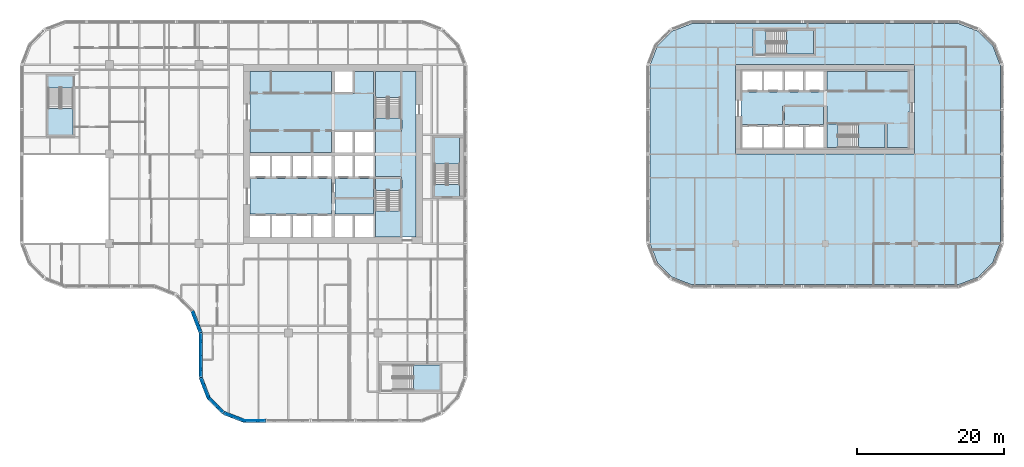
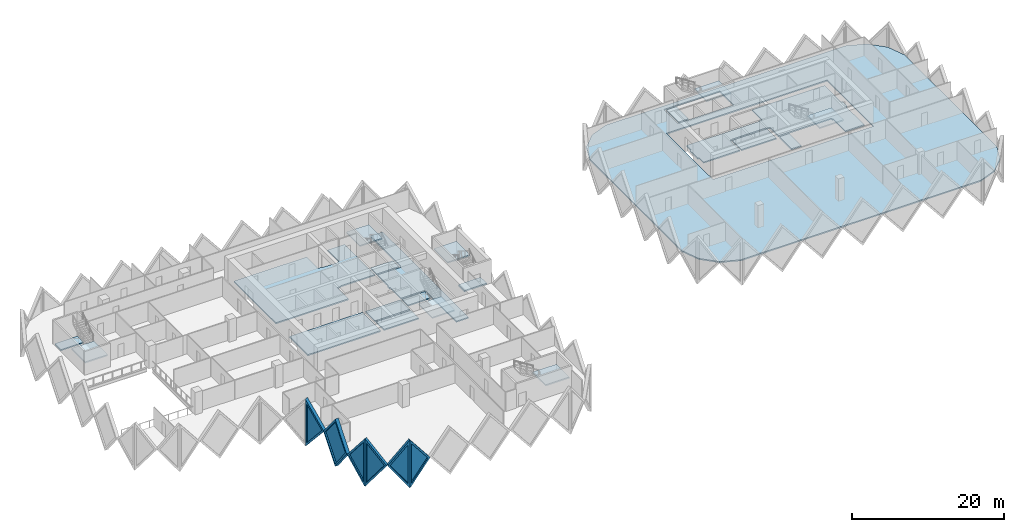
# One storey, part 3 of 18: 21 slabs, 6 plates, 6 walls, 6 openings, 7 elements without a shape of their own.
"""IFC4 building model written with IfcOpenShell, lengths in metres."""

from ifc_helpers import new_model, si_unit, direction, frame, origin, place, context, subcontext, project, spatial, polyline, outline, extrude, faceted_brep, source, transform, mapped, material, layer, layer_set, type_object, element, fill, aggregate, save


model = new_model("IFC4")

# Units and contexts
model_context = context("Model", 3, precision=1e-05, world=origin(), true_north=direction((0.0, 1.0)))
body_context = subcontext(model_context, "Body", "Model", "MODEL_VIEW")
ifc_project = project(units=[si_unit("LENGTHUNIT", "METRE"), si_unit("AREAUNIT", "SQUARE_METRE"), si_unit("VOLUMEUNIT", "CUBIC_METRE"), si_unit("PLANEANGLEUNIT", "RADIAN"), si_unit("MASSUNIT", "GRAM", prefix="KILO")], contexts=[model_context])

# Site, building, storey
site_placement = place(None, origin())
site = spatial("IfcSite", under=ifc_project, at=site_placement, CompositionType="ELEMENT")
building_placement = place(site_placement, origin())
building = spatial("IfcBuilding", under=site, at=building_placement, Name="Tessera Gate Towers", CompositionType="ELEMENT")
storey_placement = place(building_placement, frame((0.0, 0.0, 41.0)))
storey = spatial("IfcBuildingStorey", under=building, at=storey_placement, Name="L09", CompositionType="ELEMENT", Elevation=41.0)

# Slabs
ifc_material_1 = material(Name="Concrete C35/45", Category="concrete")
ifc_layer_1 = layer(ifc_material_1, 0.199951171875)
ifc_layer_set_1 = layer_set([ifc_layer_1], Name="COMPOSITE FLOOR 200")
slab_type_1 = type_object("IfcSlabType", Name="COMPOSITE FLOOR 200", PredefinedType="FLOOR", material=ifc_layer_set_1)
slab_1_placement = place(storey_placement, frame((0.0, 0.0, -0.199951171875)))
element("IfcSlab", 1, at=slab_1_placement, inside=storey, type_object=slab_type_1, Name="T2-L09", PredefinedType="FLOOR", context=body_context, shape_type="SweptSolid", body=[
    extrude(outline(polyline([(85.89990234375, 24.4931640625), (86.926025390625, 21.8330078125), (88.93310546875, 19.826171875), (91.593017578125, 18.800048828125), (128.0068359375, 18.800048828125), (130.6669921875, 19.826171875), (132.673828125, 21.8330078125), (133.699951171875, 24.4931640625), (133.699951171875, 48.706787109375), (132.673828125, 51.366943359375), (130.6669921875, 53.373779296875), (128.0068359375, 54.39990234375), (91.593017578125, 54.39990234375), (88.93310546875, 53.373779296875), (86.926025390625, 51.366943359375), (85.89990234375, 48.706787109375), (85.89990234375, 24.4931640625)]), holes=[polyline([(97.60009765625, 36.60009765625), (97.60009765625, 48.800048828125), (122.0, 48.800048828125), (122.0, 36.60009765625), (97.60009765625, 36.60009765625)]), polyline([(100.0, 50.0), (100.0, 53.699951171875), (108.5, 53.699951171875), (108.5, 50.0), (100.0, 50.0)])]), origin(), (0.0, 0.0, 1.0), 0.199951171875),
])
ifc_material_2 = material(Name="Concrete C35/45", Category="concrete")
ifc_layer_2 = layer(ifc_material_2, 0.199951171875)
ifc_layer_set_2 = layer_set([ifc_layer_2], Name="CORE FLOOR SLAB 200")
slab_type_2 = type_object("IfcSlabType", Name="CORE FLOOR SLAB 200", PredefinedType="FLOOR", material=ifc_layer_set_2)
slab_2_placement = place(storey_placement, frame((0.0, 0.0, -0.199951171875)))
element("IfcSlab", 2, at=slab_2_placement, inside=storey, type_object=slab_type_2, Name="L09 core floor slab", PredefinedType="FLOOR", context=body_context, shape_type="SweptSolid", body=[
    extrude(outline(polyline([(31.39990234375, 47.89990234375), (31.39990234375, 36.85009765625), (42.449951171875, 36.85009765625), (42.449951171875, 39.800048828125), (42.949951171875, 39.800048828125), (42.949951171875, 39.925048828125), (48.22509765625, 39.925048828125), (48.22509765625, 47.89990234375), (45.64990234375, 47.89990234375), (45.64990234375, 44.89990234375), (45.39990234375, 44.89990234375), (45.39990234375, 44.77490234375), (42.949951171875, 44.77490234375), (42.949951171875, 44.89990234375), (42.449951171875, 44.89990234375), (42.449951171875, 47.89990234375), (31.39990234375, 47.89990234375)])), origin(), (0.0, 0.0, 1.0), 0.199951171875),
])
slab_3_placement = place(storey_placement, frame((0.0, 0.0, -0.199951171875)))
element("IfcSlab", 3, at=slab_3_placement, inside=storey, type_object=slab_type_2, Name="L09 core floor slab", PredefinedType="FLOOR", context=body_context, shape_type="SweptSolid", body=[
    extrude(outline(polyline([(48.35009765625, 36.85009765625), (48.35009765625, 36.35009765625), (48.47509765625, 36.35009765625), (48.47509765625, 33.52490234375), (52.0, 33.52490234375), (52.0, 33.27490234375), (52.125, 33.27490234375), (52.125, 25.300048828125), (54.0, 25.300048828125), (54.0, 47.89990234375), (52.125, 47.89990234375), (52.125, 39.925048828125), (52.0, 39.925048828125), (52.0, 39.675048828125), (48.47509765625, 39.675048828125), (48.47509765625, 36.85009765625), (48.35009765625, 36.85009765625)])), origin(), (0.0, 0.0, 1.0), 0.199951171875),
])
slab_4_placement = place(storey_placement, frame((0.0, 0.0, -0.199951171875)))
element("IfcSlab", 4, at=slab_4_placement, inside=storey, type_object=slab_type_2, Name="L09 core floor slab", PredefinedType="FLOOR", context=body_context, shape_type="SweptSolid", body=[
    extrude(outline(polyline([(42.449951171875, 28.425048828125), (42.449951171875, 33.27490234375), (31.39990234375, 33.27490234375), (31.39990234375, 28.425048828125), (42.449951171875, 28.425048828125)])), origin(), (0.0, 0.0, 1.0), 0.199951171875),
])
slab_5_placement = place(storey_placement, frame((0.0, 0.0, -0.199951171875)))
element("IfcSlab", 5, at=slab_5_placement, inside=storey, type_object=slab_type_2, Name="L09 core floor slab", PredefinedType="FLOOR", context=body_context, shape_type="SweptSolid", body=[
    extrude(outline(polyline([(42.949951171875, 33.27490234375), (42.949951171875, 30.72509765625), (48.22509765625, 30.72509765625), (48.22509765625, 33.27490234375), (42.949951171875, 33.27490234375)])), origin(), (0.0, 0.0, 1.0), 0.199951171875),
])
slab_6_placement = place(storey_placement, frame((0.0, 0.0, -0.199951171875)))
element("IfcSlab", 6, at=slab_6_placement, inside=storey, type_object=slab_type_2, Name="L09 core floor slab", PredefinedType="FLOOR", context=body_context, shape_type="SweptSolid", body=[
    extrude(outline(polyline([(42.949951171875, 30.47509765625), (42.949951171875, 28.425048828125), (48.22509765625, 28.425048828125), (48.22509765625, 30.47509765625), (42.949951171875, 30.47509765625)])), origin(), (0.0, 0.0, 1.0), 0.199951171875),
])
slab_7_placement = place(storey_placement, frame((0.0, 0.0, -0.199951171875)))
element("IfcSlab", 7, at=slab_7_placement, inside=storey, type_object=slab_type_2, Name="L09 core floor slab", PredefinedType="FLOOR", context=body_context, shape_type="SweptSolid", body=[
    extrude(outline(polyline([(51.875, 31.675048828125), (51.875, 33.27490234375), (48.47509765625, 33.27490234375), (48.47509765625, 31.675048828125), (51.875, 31.675048828125)])), origin(), (0.0, 0.0, 1.0), 0.199951171875),
])
slab_8_placement = place(storey_placement, frame((0.0, 0.0, -0.199951171875)))
element("IfcSlab", 8, at=slab_8_placement, inside=storey, type_object=slab_type_2, Name="L09 core floor slab", PredefinedType="FLOOR", context=body_context, shape_type="SweptSolid", body=[
    extrude(outline(polyline([(48.47509765625, 41.52490234375), (48.47509765625, 39.925048828125), (51.875, 39.925048828125), (51.875, 41.52490234375), (48.47509765625, 41.52490234375)])), origin(), (0.0, 0.0, 1.0), 0.199951171875),
])
slab_9_placement = place(storey_placement, frame((0.0, 0.0, -0.199951171875)))
element("IfcSlab", 9, at=slab_9_placement, inside=storey, type_object=slab_type_2, Name="L09 ST3 floor landing", PredefinedType="FLOOR", context=body_context, shape_type="SweptSolid", body=[
    extrude(outline(polyline([(3.85009765625, 47.25), (3.85009765625, 45.64990234375), (7.25, 45.64990234375), (7.25, 47.25), (3.85009765625, 47.25)])), origin(), (0.0, 0.0, 1.0), 0.199951171875),
])
slab_10_placement = place(storey_placement, frame((0.0, 0.0, -0.199951171875)))
element("IfcSlab", 10, at=slab_10_placement, inside=storey, type_object=slab_type_2, Name="L09 ST5 floor landing", PredefinedType="FLOOR", context=body_context, shape_type="SweptSolid", body=[
    extrude(outline(polyline([(59.949951171875, 30.85009765625), (59.949951171875, 32.449951171875), (56.550048828125, 32.449951171875), (56.550048828125, 30.85009765625), (59.949951171875, 30.85009765625)])), origin(), (0.0, 0.0, 1.0), 0.199951171875),
])
slab_11_placement = place(storey_placement, frame((0.0, 0.0, -0.199951171875)))
element("IfcSlab", 11, at=slab_11_placement, inside=storey, type_object=slab_type_2, Name="L09 core floor slab", PredefinedType="FLOOR", context=body_context, shape_type="SweptSolid", body=[
    extrude(outline(polyline([(109.550048828125, 45.199951171875), (109.550048828125, 45.074951171875), (98.5, 45.074951171875), (98.5, 43.89990234375), (98.300048828125, 43.89990234375), (98.300048828125, 41.800048828125), (98.5, 41.800048828125), (98.5, 40.625), (104.02490234375, 40.625), (104.02490234375, 43.199951171875), (104.27490234375, 43.199951171875), (104.27490234375, 43.324951171875), (109.550048828125, 43.324951171875), (109.550048828125, 43.199951171875), (110.050048828125, 43.199951171875), (110.050048828125, 40.949951171875), (118.10009765625, 40.949951171875), (118.10009765625, 40.699951171875), (118.22509765625, 40.699951171875), (118.22509765625, 37.5), (121.10009765625, 37.5), (121.10009765625, 42.35009765625), (121.300048828125, 42.35009765625), (121.300048828125, 43.550048828125), (121.10009765625, 43.550048828125), (121.10009765625, 47.89990234375), (110.050048828125, 47.89990234375), (110.050048828125, 45.199951171875), (109.550048828125, 45.199951171875)])), origin(), (0.0, 0.0, 1.0), 0.199951171875),
])
slab_12_placement = place(storey_placement, frame((0.0, 0.0, -0.199951171875)))
element("IfcSlab", 12, at=slab_12_placement, inside=storey, type_object=slab_type_2, Name="L09 core floor slab", PredefinedType="FLOOR", context=body_context, shape_type="SweptSolid", body=[
    extrude(outline(polyline([(109.550048828125, 43.074951171875), (104.27490234375, 43.074951171875), (104.27490234375, 40.625), (109.550048828125, 40.625), (109.550048828125, 43.074951171875)])), origin(), (0.0, 0.0, 1.0), 0.199951171875),
])
slab_13_placement = place(storey_placement, frame((0.0, 0.0, -0.199951171875)))
element("IfcSlab", 13, at=slab_13_placement, inside=storey, type_object=slab_type_2, Name="L09 core floor slab", PredefinedType="FLOOR", context=body_context, shape_type="SweptSolid", body=[
    extrude(outline(polyline([(111.550048828125, 37.5), (111.550048828125, 40.699951171875), (110.050048828125, 40.699951171875), (110.050048828125, 37.5), (111.550048828125, 37.5)])), origin(), (0.0, 0.0, 1.0), 0.199951171875),
])
slab_14_placement = place(storey_placement, frame((0.0, 0.0, -0.199951171875)))
element("IfcSlab", 14, at=slab_14_placement, inside=storey, type_object=slab_type_2, Name="L09 ST7 floor landing", PredefinedType="FLOOR", context=body_context, shape_type="SweptSolid", body=[
    extrude(outline(polyline([(100.25, 50.25), (101.75, 50.25), (101.75, 53.449951171875), (100.25, 53.449951171875), (100.25, 50.25)])), origin(), (0.0, 0.0, 1.0), 0.199951171875),
])

# Stair, slab
ifc_material_3 = material(Name="Concrete C40/50", Category="concrete")
stair_type_1 = type_object("IfcStairType", Name="EXIT STAIR ST1 1600", PredefinedType="HALF_TURN_STAIR", material=ifc_material_3)
stair_1_placement = place(storey_placement, origin())
stair_1 = element("IfcStair", 15, at=stair_1_placement, inside=storey, type_object=stair_type_1, Name="L09 Protected Exit Stair ST1", PredefinedType="HALF_TURN_STAIR")
ifc_material_4 = material(Name="Concrete C40/50", Category="concrete")
ifc_layer_3 = layer(ifc_material_4, 0.199951171875)
ifc_layer_set_3 = layer_set([ifc_layer_3], Name="EXIT STAIR LANDING 200")
slab_type_3 = type_object("IfcSlabType", Name="EXIT STAIR LANDING 200", PredefinedType="LANDING", material=ifc_layer_set_3)
slab_15_placement = place(storey_placement, frame((0.0, 0.0, 1.699951171875)))
slab_15 = element("IfcSlab", 16, at=slab_15_placement, type_object=slab_type_3, Name="ST1 landing 1", PredefinedType="LANDING", context=body_context, shape_type="SweptSolid", body=[
    extrude(outline(polyline([(48.47509765625, 28.875), (48.47509765625, 25.300048828125), (51.875, 25.300048828125), (51.875, 28.875), (48.47509765625, 28.875)])), origin(), (0.0, 0.0, 1.0), 0.199951171875),
])
aggregate(stair_1, [slab_15])

ifc_material_5 = material(Name="Concrete C40/50", Category="concrete")
stair_type_2 = type_object("IfcStairType", Name="EXIT STAIR ST2 1600", PredefinedType="HALF_TURN_STAIR", material=ifc_material_5)
stair_2_placement = place(storey_placement, origin())
stair_2 = element("IfcStair", 17, at=stair_2_placement, inside=storey, type_object=stair_type_2, Name="L09 Protected Exit Stair ST2", PredefinedType="HALF_TURN_STAIR")
slab_16_placement = place(storey_placement, frame((0.0, 0.0, 1.699951171875)))
slab_16 = element("IfcSlab", 18, at=slab_16_placement, type_object=slab_type_3, Name="ST2 landing 1", PredefinedType="LANDING", context=body_context, shape_type="SweptSolid", body=[
    extrude(outline(polyline([(51.875, 44.324951171875), (51.875, 47.89990234375), (48.47509765625, 47.89990234375), (48.47509765625, 44.324951171875), (51.875, 44.324951171875)])), origin(), (0.0, 0.0, 1.0), 0.199951171875),
])
aggregate(stair_2, [slab_16])

ifc_material_6 = material(Name="Concrete C40/50", Category="concrete")
stair_type_3 = type_object("IfcStairType", Name="EXIT STAIR ST3 1600", PredefinedType="HALF_TURN_STAIR", material=ifc_material_6)
stair_3_placement = place(storey_placement, origin())
stair_3 = element("IfcStair", 19, at=stair_3_placement, inside=storey, type_object=stair_type_3, Name="L09 West Exit Stair ST3", PredefinedType="HALF_TURN_STAIR")
slab_17_placement = place(storey_placement, frame((0.0, 0.0, 1.699951171875)))
slab_17 = element("IfcSlab", 20, at=slab_17_placement, type_object=slab_type_3, Name="ST3 landing 1", PredefinedType="LANDING", context=body_context, shape_type="SweptSolid", body=[
    extrude(outline(polyline([(3.85009765625, 42.85009765625), (3.85009765625, 39.25), (7.25, 39.25), (7.25, 42.85009765625), (3.85009765625, 42.85009765625)])), origin(), (0.0, 0.0, 1.0), 0.199951171875),
])
aggregate(stair_3, [slab_17])

ifc_material_7 = material(Name="Concrete C40/50", Category="concrete")
stair_type_4 = type_object("IfcStairType", Name="EXIT STAIR ST4 1600", PredefinedType="HALF_TURN_STAIR", material=ifc_material_7)
stair_4_placement = place(storey_placement, origin())
stair_4 = element("IfcStair", 21, at=stair_4_placement, inside=storey, type_object=stair_type_4, Name="L09 South Exit Stair ST4", PredefinedType="HALF_TURN_STAIR")
slab_18_placement = place(storey_placement, frame((0.0, 0.0, 1.699951171875)))
slab_18 = element("IfcSlab", 22, at=slab_18_placement, type_object=slab_type_3, Name="ST4 landing 1", PredefinedType="LANDING", context=body_context, shape_type="SweptSolid", body=[
    extrude(outline(polyline([(53.64990234375, 4.449951171875), (57.25, 4.449951171875), (57.25, 7.85009765625), (53.64990234375, 7.85009765625), (53.64990234375, 4.449951171875)])), origin(), (0.0, 0.0, 1.0), 0.199951171875),
])
aggregate(stair_4, [slab_18])

ifc_material_8 = material(Name="Concrete C40/50", Category="concrete")
stair_type_5 = type_object("IfcStairType", Name="EXIT STAIR ST5 1600", PredefinedType="HALF_TURN_STAIR", material=ifc_material_8)
stair_5_placement = place(storey_placement, origin())
stair_5 = element("IfcStair", 23, at=stair_5_placement, inside=storey, type_object=stair_type_5, Name="L09 East Exit Stair ST5", PredefinedType="HALF_TURN_STAIR")
slab_19_placement = place(storey_placement, frame((0.0, 0.0, 1.699951171875)))
slab_19 = element("IfcSlab", 24, at=slab_19_placement, type_object=slab_type_3, Name="ST5 landing 1", PredefinedType="LANDING", context=body_context, shape_type="SweptSolid", body=[
    extrude(outline(polyline([(59.949951171875, 35.25), (59.949951171875, 38.85009765625), (56.550048828125, 38.85009765625), (56.550048828125, 35.25), (59.949951171875, 35.25)])), origin(), (0.0, 0.0, 1.0), 0.199951171875),
])
aggregate(stair_5, [slab_19])

ifc_material_9 = material(Name="Concrete C40/50", Category="concrete")
stair_type_6 = type_object("IfcStairType", Name="EXIT STAIR ST6 1500", PredefinedType="HALF_TURN_STAIR", material=ifc_material_9)
stair_6_placement = place(storey_placement, origin())
stair_6 = element("IfcStair", 25, at=stair_6_placement, inside=storey, type_object=stair_type_6, Name="L09 Protected Exit Stair ST6", PredefinedType="HALF_TURN_STAIR")
slab_20_placement = place(storey_placement, frame((0.0, 0.0, 1.699951171875)))
slab_20 = element("IfcSlab", 26, at=slab_20_placement, type_object=slab_type_3, Name="ST6 landing 1", PredefinedType="LANDING", context=body_context, shape_type="SweptSolid", body=[
    extrude(outline(polyline([(114.35009765625, 37.5), (117.97509765625, 37.5), (117.97509765625, 40.699951171875), (114.35009765625, 40.699951171875), (114.35009765625, 37.5)])), origin(), (0.0, 0.0, 1.0), 0.199951171875),
])
aggregate(stair_6, [slab_20])

ifc_material_10 = material(Name="Concrete C40/50", Category="concrete")
stair_type_7 = type_object("IfcStairType", Name="EXIT STAIR ST7 1500", PredefinedType="HALF_TURN_STAIR", material=ifc_material_10)
stair_7_placement = place(storey_placement, origin())
stair_7 = element("IfcStair", 27, at=stair_7_placement, inside=storey, type_object=stair_type_7, Name="L09 North Exit Stair ST7", PredefinedType="HALF_TURN_STAIR")
slab_21_placement = place(storey_placement, frame((0.0, 0.0, 1.699951171875)))
slab_21 = element("IfcSlab", 28, at=slab_21_placement, type_object=slab_type_3, Name="ST7 landing 1", PredefinedType="LANDING", context=body_context, shape_type="SweptSolid", body=[
    extrude(outline(polyline([(104.550048828125, 50.25), (108.25, 50.25), (108.25, 53.449951171875), (104.550048828125, 53.449951171875), (104.550048828125, 50.25)])), origin(), (0.0, 0.0, 1.0), 0.199951171875),
])
aggregate(stair_7, [slab_21])

# Wall, opening, plate
ifc_material_11 = material(Name="Precast concrete C60/75 white", Category="concrete")
ifc_layer_4 = layer(ifc_material_11, 0.5)
ifc_layer_set_4 = layer_set([ifc_layer_4], Name="TS3 corner tessera")
wall_type_1 = type_object("IfcWallType", Name="TS3 corner tessera", PredefinedType="SOLIDWALL", material=ifc_layer_set_4)
shared_shape_1 = source(origin(), body_context, "Body", "Brep", [
    faceted_brep([(2.950439453125, -0.25, 0.0), (3.00341796875, -0.25, 0.068359375), (3.00341796875, -0.25, 7.53173828125), (2.950439453125, -0.25, 7.60009765625), (0.0, -0.25, 3.800048828125), (0.046630859375, 0.25, 3.860107421875), (2.897705078125, 0.25, 7.531982421875), (2.897705078125, 0.25, 0.068115234375), (0.046630859375, 0.25, 3.739990234375), (2.950439453125, 0.00048828125, 0.0), (2.950439453125, 0.00048828125, 7.60009765625), (0.0, 0.0, 3.800048828125)], [[[0, 1, 2, 3, 4]], [[5, 6, 7, 8]], [[1, 0, 9]], [[10, 3, 2]], [[6, 5, 11, 4, 3, 10]], [[8, 7, 9, 0, 4, 11]], [[8, 11, 5]], [[1, 9, 7, 6, 10, 2]]]),
])
wall_1_placement = place(storey_placement, frame((24.64990234375, 6.146484375, -3.800048828125), z_axis=(0.0, 0.0, 1.0), x_axis=(0.359953949349, -0.932970071518, 0.0)))
wall_1 = element("IfcWall", 29, at=wall_1_placement, inside=storey, type_object=wall_type_1, Name="Precast corner tessera T1 TS3-0191", PredefinedType="SOLIDWALL", context=body_context, shape_type="MappedRepresentation", body=[
    mapped(shared_shape_1, transform((0.0, 0.0, 0.0), scale=1.0)),
])
shared_shape_2 = source(origin(), body_context, "Body", "SweptSolid", [
    extrude(outline(polyline([(2.75048828125, 6.934814453125), (0.31640625, 3.800048828125), (2.75048828125, 0.665283203125), (2.75048828125, 6.934814453125)])), frame((0.0, 0.260009765625, 0.0), z_axis=(0.0, -1.0, 0.0), x_axis=(1.0, 0.0, 0.0)), (0.0, 0.0, 1.0), 0.52001953125),
])
opening_1_placement = place(wall_1_placement, origin())
opening_1 = element("IfcOpeningElement", 30, at=opening_1_placement, cuts=wall_1, Name="Opening T1-PL2-0233", PredefinedType="OPENING", context=body_context, shape_type="MappedRepresentation", body=[
    mapped(shared_shape_2, transform((0.0, 0.0, 0.0), scale=1.0)),
])
ifc_material_12 = material(Name="Low-e laminated glass", Category="glass")
ifc_layer_5 = layer(ifc_material_12, 0.06005859375)
ifc_layer_set_5 = layer_set([ifc_layer_5], Name="PL2 rhombic pane")
plate_type = type_object("IfcPlateType", Name="PL2 rhombic pane", PredefinedType="SHEET", material=ifc_layer_set_5)
shared_shape_3 = source(origin(), body_context, "Body", "SweptSolid", [
    extrude(outline(polyline([(2.75048828125, 6.934814453125), (0.31640625, 3.800048828125), (2.75048828125, 0.665283203125), (2.75048828125, 6.934814453125)])), frame((0.0, 0.030029296875, 0.0), z_axis=(0.0, -1.0, 0.0), x_axis=(1.0, 0.0, 0.0)), (0.0, 0.0, 1.0), 0.06005859375),
])
plate_1_placement = place(opening_1_placement, origin())
plate_1 = element("IfcPlate", 31, at=plate_1_placement, inside=storey, type_object=plate_type, Name="Glass pane T1 PL2-0233", PredefinedType="SHEET", context=body_context, shape_type="MappedRepresentation", body=[
    mapped(shared_shape_3, transform((0.0, 0.0, 0.0), scale=1.0)),
])
fill(opening_1, plate_1)

shared_shape_4 = source(origin(), body_context, "Body", "Brep", [
    faceted_brep([(0.046630859375, -0.25, 0.0), (3.050048828125, -0.25, 3.800048828125), (0.046630859375, -0.25, 7.60009765625), (0.0, -0.25, 7.5400390625), (0.0, -0.25, 0.06005859375), (0.09326171875, 0.25, 7.541259765625), (3.050048828125, 0.25, 3.800048828125), (0.09326171875, 0.25, 0.058837890625), (0.046630859375, 0.0, 0.0), (0.046630859375, 0.0, 7.60009765625)], [[[0, 1, 2, 3, 4]], [[5, 6, 7]], [[7, 6, 1, 0, 8]], [[6, 5, 9, 2, 1]], [[3, 2, 9]], [[8, 0, 4]], [[7, 8, 4, 3, 9, 5]]]),
])
wall_2_placement = place(storey_placement, frame((30.5, 0.25, -3.800048828125), z_axis=(0.0, 0.0, 1.0), x_axis=(1.0, 0.0, 0.0)))
wall_2 = element("IfcWall", 32, at=wall_2_placement, inside=storey, type_object=wall_type_1, Name="Precast corner tessera T1 TS3-0169", PredefinedType="SOLIDWALL", context=body_context, shape_type="MappedRepresentation", body=[
    mapped(shared_shape_4, transform((0.0, 0.0, 0.0), scale=1.0)),
])
shared_shape_5 = source(origin(), body_context, "Body", "SweptSolid", [
    extrude(outline(polyline([(0.24658203125, 0.65625), (2.7314453125, 3.800048828125), (0.24658203125, 6.94384765625), (0.24658203125, 0.65625)])), frame((0.0, 0.260009765625, 0.0), z_axis=(0.0, -1.0, 0.0), x_axis=(1.0, 0.0, 0.0)), (0.0, 0.0, 1.0), 0.52001953125),
])
opening_2_placement = place(wall_2_placement, origin())
opening_2 = element("IfcOpeningElement", 33, at=opening_2_placement, cuts=wall_2, Name="Opening T1-PL2-0188", PredefinedType="OPENING", context=body_context, shape_type="MappedRepresentation", body=[
    mapped(shared_shape_5, transform((0.0, 0.0, 0.0), scale=1.0)),
])
shared_shape_6 = source(origin(), body_context, "Body", "SweptSolid", [
    extrude(outline(polyline([(0.24658203125, 0.65625), (2.7314453125, 3.800048828125), (0.24658203125, 6.94384765625), (0.24658203125, 0.65625)])), frame((0.0, 0.030029296875, 0.0), z_axis=(0.0, -1.0, 0.0), x_axis=(1.0, 0.0, 0.0)), (0.0, 0.0, 1.0), 0.06005859375),
])
plate_2_placement = place(opening_2_placement, origin())
plate_2 = element("IfcPlate", 34, at=plate_2_placement, inside=storey, type_object=plate_type, Name="Glass pane T1 PL2-0188", PredefinedType="SHEET", context=body_context, shape_type="MappedRepresentation", body=[
    mapped(shared_shape_6, transform((0.0, 0.0, 0.0), scale=1.0)),
])
fill(opening_2, plate_2)

shared_shape_7 = source(origin(), body_context, "Body", "Brep", [
    faceted_brep([(0.052978515625, -0.25, 0.0), (2.9970703125, -0.25, 3.800048828125), (0.052978515625, -0.25, 7.60009765625), (0.0, -0.25, 7.531982421875), (0.0, -0.25, 0.068115234375), (0.10595703125, 0.25, 7.53173828125), (2.944091796875, 0.25, 3.8681640625), (2.944091796875, 0.25, 3.73193359375), (0.10595703125, 0.25, 0.068359375), (2.9970703125, 0.000244140625, 3.800048828125), (0.052978515625, 0.0, 0.0), (0.052978515625, 0.0, 7.60009765625)], [[[0, 1, 2, 3, 4]], [[5, 6, 7, 8]], [[8, 7, 9, 1, 0, 10]], [[6, 5, 11, 2, 1, 9]], [[3, 2, 11]], [[10, 0, 4]], [[8, 10, 4, 3, 11, 5]], [[9, 7, 6]]]),
])
wall_3_placement = place(storey_placement, frame((25.674560546875, 3.43115234375, -3.800048828125), z_axis=(0.0, 0.0, 1.0), x_axis=(0.707106781187, -0.707106781187, 0.0)))
wall_3 = element("IfcWall", 35, at=wall_3_placement, inside=storey, type_object=wall_type_1, Name="Precast corner tessera T1 TS3-0192", PredefinedType="SOLIDWALL", context=body_context, shape_type="MappedRepresentation", body=[
    mapped(shared_shape_7, transform((0.0, 0.0, 0.0), scale=1.0)),
])
shared_shape_8 = source(origin(), body_context, "Body", "SweptSolid", [
    extrude(outline(polyline([(0.2529296875, 0.666259765625), (2.680908203125, 3.800048828125), (0.2529296875, 6.933837890625), (0.2529296875, 0.666259765625)])), frame((0.0, 0.260009765625, 0.0), z_axis=(0.0, -1.0, 0.0), x_axis=(1.0, 0.0, 0.0)), (0.0, 0.0, 1.0), 0.52001953125),
])
opening_3_placement = place(wall_3_placement, origin())
opening_3 = element("IfcOpeningElement", 36, at=opening_3_placement, cuts=wall_3, Name="Opening T1-PL2-0234", PredefinedType="OPENING", context=body_context, shape_type="MappedRepresentation", body=[
    mapped(shared_shape_8, transform((0.0, 0.0, 0.0), scale=1.0)),
])
shared_shape_9 = source(origin(), body_context, "Body", "SweptSolid", [
    extrude(outline(polyline([(0.2529296875, 0.666259765625), (2.680908203125, 3.800048828125), (0.2529296875, 6.933837890625), (0.2529296875, 0.666259765625)])), frame((0.0, 0.030029296875, 0.0), z_axis=(0.0, -1.0, 0.0), x_axis=(1.0, 0.0, 0.0)), (0.0, 0.0, 1.0), 0.06005859375),
])
plate_3_placement = place(opening_3_placement, origin())
plate_3 = element("IfcPlate", 37, at=plate_3_placement, inside=storey, type_object=plate_type, Name="Glass pane T1 PL2-0234", PredefinedType="SHEET", context=body_context, shape_type="MappedRepresentation", body=[
    mapped(shared_shape_9, transform((0.0, 0.0, 0.0), scale=1.0)),
])
fill(opening_3, plate_3)

shared_shape_10 = source(origin(), body_context, "Body", "Brep", [
    faceted_brep([(2.950439453125, -0.25, 0.0), (2.9970703125, -0.25, 0.05908203125), (2.9970703125, -0.25, 7.541015625), (2.950439453125, -0.25, 7.60009765625), (0.0, -0.25, 3.800048828125), (0.052978515625, 0.25, 3.8681640625), (2.904052734375, 0.25, 7.540283203125), (2.904052734375, 0.25, 0.059814453125), (0.052978515625, 0.25, 3.73193359375), (2.950439453125, 0.00048828125, 0.0), (2.950439453125, 0.00048828125, 7.60009765625), (0.0, 0.0, 3.800048828125)], [[[0, 1, 2, 3, 4]], [[5, 6, 7, 8]], [[1, 0, 9]], [[10, 3, 2]], [[6, 5, 11, 4, 3, 10]], [[8, 7, 9, 0, 4, 11]], [[8, 11, 5]], [[1, 9, 7, 6, 10, 2]]]),
])
wall_4_placement = place(storey_placement, frame((27.793701171875, 1.31201171875, -3.800048828125), z_axis=(0.0, 0.0, 1.0), x_axis=(0.932973525033, -0.359944998003, 0.0)))
wall_4 = element("IfcWall", 38, at=wall_4_placement, inside=storey, type_object=wall_type_1, Name="Precast corner tessera T1 TS3-0170", PredefinedType="SOLIDWALL", context=body_context, shape_type="MappedRepresentation", body=[
    mapped(shared_shape_10, transform((0.0, 0.0, 0.0), scale=1.0)),
])
opening_4_placement = place(wall_4_placement, origin())
opening_4 = element("IfcOpeningElement", 39, at=opening_4_placement, cuts=wall_4, Name="Opening T1-PL2-0189", PredefinedType="OPENING", context=body_context, shape_type="MappedRepresentation", body=[
    mapped(shared_shape_2, transform((0.0, 0.0, 0.0), scale=1.0)),
])
plate_4_placement = place(opening_4_placement, origin())
plate_4 = element("IfcPlate", 40, at=plate_4_placement, inside=storey, type_object=plate_type, Name="Glass pane T1 PL2-0189", PredefinedType="SHEET", context=body_context, shape_type="MappedRepresentation", body=[
    mapped(shared_shape_3, transform((0.0, 0.0, 0.0), scale=1.0)),
])
fill(opening_4, plate_4)

shared_shape_11 = source(origin(), body_context, "Body", "Brep", [
    faceted_brep([(0.10595703125, -0.25, 0.06396484375), (3.156005859375, -0.25, 3.743896484375), (3.156005859375, -0.25, 3.856201171875), (0.10595703125, -0.25, 7.5361328125), (0.0, 0.25, 7.536376953125), (0.052978515625, 0.25, 7.60009765625), (3.202392578125, 0.25, 3.800048828125), (0.052978515625, 0.25, 0.0), (0.0, 0.25, 0.063720703125), (3.202392578125, -0.000244140625, 3.800048828125), (0.052978515625, 0.0, 0.0), (0.052978515625, 0.0, 7.60009765625)], [[[0, 1, 2, 3]], [[4, 5, 6, 7, 8]], [[7, 6, 9, 1, 0, 10]], [[6, 5, 11, 3, 2, 9]], [[5, 4, 11]], [[8, 7, 10]], [[8, 10, 0, 3, 11, 4]], [[1, 9, 2]]]),
])
wall_5_placement = place(storey_placement, frame((23.497314453125, 15.234375, -3.800048828125), z_axis=(0.0, 0.0, 1.0), x_axis=(0.359913782069, -0.932985567668, 0.0)))
wall_5 = element("IfcWall", 41, at=wall_5_placement, inside=storey, type_object=wall_type_1, Name="Precast corner tessera T1 TS3-0190", PredefinedType="SOLIDWALL", context=body_context, shape_type="MappedRepresentation", body=[
    mapped(shared_shape_11, transform((0.0, 0.0, 0.0), scale=1.0)),
])
shared_shape_12 = source(origin(), body_context, "Body", "SweptSolid", [
    extrude(outline(polyline([(0.2529296875, 0.633056640625), (2.877685546875, 3.800048828125), (0.2529296875, 6.967041015625), (0.2529296875, 0.633056640625)])), frame((0.0, 0.260009765625, 0.0), z_axis=(0.0, -1.0, 0.0), x_axis=(1.0, 0.0, 0.0)), (0.0, 0.0, 1.0), 0.52001953125),
])
opening_5_placement = place(wall_5_placement, origin())
opening_5 = element("IfcOpeningElement", 42, at=opening_5_placement, cuts=wall_5, Name="Opening T1-PL2-0231", PredefinedType="OPENING", context=body_context, shape_type="MappedRepresentation", body=[
    mapped(shared_shape_12, transform((0.0, 0.0, 0.0), scale=1.0)),
])
shared_shape_13 = source(origin(), body_context, "Body", "SweptSolid", [
    extrude(outline(polyline([(0.2529296875, 0.633056640625), (2.877685546875, 3.800048828125), (0.2529296875, 6.967041015625), (0.2529296875, 0.633056640625)])), frame((0.0, 0.030029296875, 0.0), z_axis=(0.0, -1.0, 0.0), x_axis=(1.0, 0.0, 0.0)), (0.0, 0.0, 1.0), 0.06005859375),
])
plate_5_placement = place(opening_5_placement, origin())
plate_5 = element("IfcPlate", 43, at=plate_5_placement, inside=storey, type_object=plate_type, Name="Glass pane T1 PL2-0231", PredefinedType="SHEET", context=body_context, shape_type="MappedRepresentation", body=[
    mapped(shared_shape_13, transform((0.0, 0.0, 0.0), scale=1.0)),
])
fill(opening_5, plate_5)

ifc_material_13 = material(Name="Precast concrete C60/75 white", Category="concrete")
ifc_layer_6 = layer(ifc_material_13, 0.5)
ifc_layer_set_6 = layer_set([ifc_layer_6], Name="TS1 tessera")
wall_type_2 = type_object("IfcWallType", Name="TS1 tessera", PredefinedType="SOLIDWALL", material=ifc_layer_set_6)
shared_shape_14 = source(origin(), body_context, "Body", "Brep", [
    faceted_brep([(3.096435546875, -0.25, 0.0), (6.10009765625, -0.25, 3.800048828125), (3.096435546875, -0.25, 7.60009765625), (0.046630859375, -0.25, 3.857177734375), (0.046630859375, -0.25, 3.742919921875), (0.0, 0.25, 3.800048828125), (3.096435546875, 0.25, 7.60009765625), (6.053466796875, 0.25, 3.859130859375), (6.053466796875, 0.25, 3.740966796875), (3.096435546875, 0.25, 0.0), (6.10009765625, -0.00048828125, 3.800048828125), (0.0, 0.0, 3.800048828125)], [[[0, 1, 2, 3, 4]], [[5, 6, 7, 8, 9]], [[9, 8, 10, 1, 0]], [[7, 6, 2, 1, 10]], [[6, 5, 11, 3, 2]], [[5, 9, 0, 4, 11]], [[11, 4, 3]], [[10, 8, 7]]]),
])
wall_6_placement = place(storey_placement, frame((24.64990234375, 12.24658203125, -3.800048828125), z_axis=(0.0, 0.0, 1.0), x_axis=(0.0, -1.0, 0.0)))
wall_6 = element("IfcWall", 44, at=wall_6_placement, inside=storey, type_object=wall_type_2, Name="Precast tessera T1 TS1-0114", PredefinedType="SOLIDWALL", context=body_context, shape_type="MappedRepresentation", body=[
    mapped(shared_shape_14, transform((0.0, 0.0, 0.0), scale=1.0)),
])
shared_shape_15 = source(origin(), body_context, "Body", "SweptSolid", [
    extrude(outline(polyline([(3.093505859375, 0.3994140625), (5.78125, 3.800048828125), (3.093505859375, 7.20068359375), (0.322509765625, 3.800048828125), (3.093505859375, 0.3994140625)])), frame((0.0, 0.260009765625, 0.0), z_axis=(0.0, -1.0, 0.0), x_axis=(1.0, 0.0, 0.0)), (0.0, 0.0, 1.0), 0.52001953125),
])
opening_6_placement = place(wall_6_placement, origin())
opening_6 = element("IfcOpeningElement", 45, at=opening_6_placement, cuts=wall_6, Name="Opening T1-PL2-0232", PredefinedType="OPENING", context=body_context, shape_type="MappedRepresentation", body=[
    mapped(shared_shape_15, transform((0.0, 0.0, 0.0), scale=1.0)),
])
shared_shape_16 = source(origin(), body_context, "Body", "SweptSolid", [
    extrude(outline(polyline([(3.093505859375, 0.3994140625), (5.78125, 3.800048828125), (3.093505859375, 7.20068359375), (0.322509765625, 3.800048828125), (3.093505859375, 0.3994140625)])), frame((0.0, 0.030029296875, 0.0), z_axis=(0.0, -1.0, 0.0), x_axis=(1.0, 0.0, 0.0)), (0.0, 0.0, 1.0), 0.06005859375),
])
plate_6_placement = place(opening_6_placement, origin())
plate_6 = element("IfcPlate", 46, at=plate_6_placement, inside=storey, type_object=plate_type, Name="Glass pane T1 PL2-0232", PredefinedType="SHEET", context=body_context, shape_type="MappedRepresentation", body=[
    mapped(shared_shape_16, transform((0.0, 0.0, 0.0), scale=1.0)),
])
fill(opening_6, plate_6)

save(model, "model.ifc")
